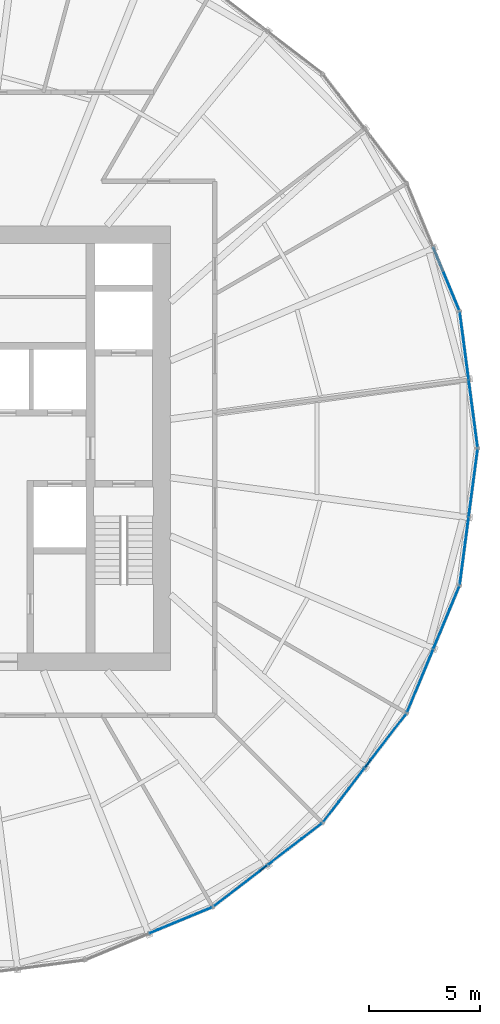
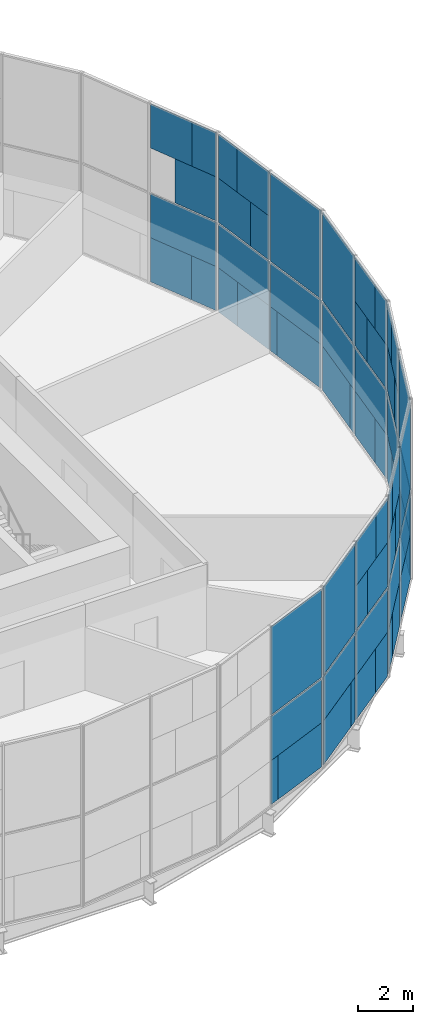
# One storey, part 12 of 18: 65 plates, 7 elements without a shape of their own.
"""IFC4 building model written with IfcOpenShell, lengths in metres."""

from ifc_helpers import new_model, si_unit, direction, frame, origin, origin_2d, place, context, subcontext, project, spatial, rectangle, extrude, material, layer, layer_set, type_object, element, aggregate, save


model = new_model("IFC4")

# Units and contexts
model_context = context("Model", 3, precision=1e-05, world=origin(), true_north=direction((0.0, 1.0)))
body_context = subcontext(model_context, "Body", "Model", "MODEL_VIEW")
ifc_project = project(units=[si_unit("LENGTHUNIT", "METRE"), si_unit("AREAUNIT", "SQUARE_METRE"), si_unit("VOLUMEUNIT", "CUBIC_METRE"), si_unit("PLANEANGLEUNIT", "RADIAN"), si_unit("MASSUNIT", "GRAM", prefix="KILO")], contexts=[model_context])

# Site, building, storey
site_placement = place(None, origin())
site = spatial("IfcSite", under=ifc_project, at=site_placement, CompositionType="ELEMENT")
building_placement = place(site_placement, origin())
building = spatial("IfcBuilding", under=site, at=building_placement, Name="Golbaran Civic Tower", CompositionType="ELEMENT")
storey_placement = place(building_placement, frame((0.0, 0.0, 61.0)))
storey = spatial("IfcBuildingStorey", under=building, at=storey_placement, Name="L14", CompositionType="ELEMENT", Elevation=61.0)

# Curtain wall, plates
ifc_material_1 = material(Name="Aluminium and glass", Category="aluminium")
curtain_wall_type = type_object("IfcCurtainWallType", Name="INNER SKIN CURTAIN WALL", PredefinedType="NOTDEFINED", material=ifc_material_1)
curtain_wall_1_placement = place(storey_placement, origin())
curtain_wall_1 = element("IfcCurtainWall", 1, at=curtain_wall_1_placement, inside=storey, type_object=curtain_wall_type, Name="Inner skin L14 facet 1 CW1", ObjectType="INNER SKIN", PredefinedType="USERDEFINED")
ifc_material_2 = material(Name="Clear insulating glass", Category="glass")
ifc_layer_1 = layer(ifc_material_2, 0.031982421875, Name="Clear insulating glass")
ifc_layer_set_1 = layer_set([ifc_layer_1], Name="Clear insulating glass")
plate_type_1 = type_object("IfcPlateType", Name="INNER SKIN CURTAIN WALL GLAZED PANEL", PredefinedType="CURTAIN_PANEL", material=ifc_layer_set_1)
plate_1_placement = place(storey_placement, frame((23.638916015625, 1.353271484375, 0.06494140625), z_axis=(0.0, 0.0, 1.0), x_axis=(-0.130526192185, 0.991444861378, 0.0)))
plate_1 = element("IfcPlate", 2, at=plate_1_placement, type_object=plate_type_1, Name="CW1 panel 1.1 part 1", PredefinedType="CURTAIN_PANEL", context=body_context, shape_type="SweptSolid", body=[
    extrude(rectangle(XDim=2.60009765625, YDim=0.031982421875, at=origin_2d()), origin(), (0.0, 0.0, 1.0), 1.951171875),
])
plate_2_placement = place(storey_placement, frame((23.612060546875, 1.55712890625, 2.016357421875), z_axis=(0.0, 0.0, 1.0), x_axis=(-0.130526192185, 0.991444861378, 0.0)))
plate_2 = element("IfcPlate", 3, at=plate_2_placement, type_object=plate_type_1, Name="CW1 panel 1.1 part 3", PredefinedType="CURTAIN_PANEL", context=body_context, shape_type="SweptSolid", body=[
    extrude(rectangle(XDim=3.01123046875, YDim=0.031982421875, at=origin_2d()), origin(), (0.0, 0.0, 1.0), 1.951171875),
])
plate_3_placement = place(storey_placement, frame((23.612060546875, 1.55712890625, 4.0322265625), z_axis=(0.0, 0.0, 1.0), x_axis=(-0.130526192185, 0.991444861378, 0.0)))
plate_3 = element("IfcPlate", 4, at=plate_3_placement, type_object=plate_type_1, Name="CW1 panel 1.2", PredefinedType="CURTAIN_PANEL", context=body_context, shape_type="SweptSolid", body=[
    extrude(rectangle(XDim=3.01123046875, YDim=0.031982421875, at=origin_2d()), origin(), (0.0, 0.0, 1.0), 3.902587890625),
])
plate_4_placement = place(storey_placement, frame((23.087646484375, 5.5400390625, 0.06494140625), z_axis=(0.0, 0.0, 1.0), x_axis=(-0.130526192185, 0.991444861378, 0.0)))
plate_4 = element("IfcPlate", 5, at=plate_4_placement, type_object=plate_type_1, Name="CW1 panel 2.1 part 2", PredefinedType="CURTAIN_PANEL", context=body_context, shape_type="SweptSolid", body=[
    extrude(rectangle(XDim=1.129150390625, YDim=0.031982421875, at=origin_2d()), origin(), (0.0, 0.0, 1.0), 1.951171875),
])
plate_5_placement = place(storey_placement, frame((23.333740234375, 3.671630859375, 4.032470703125), z_axis=(0.0, 0.0, 1.0), x_axis=(-0.130526192185, 0.991444861378, 0.0)))
plate_5 = element("IfcPlate", 6, at=plate_5_placement, type_object=plate_type_1, Name="CW1 panel 2.2 part 1", PredefinedType="CURTAIN_PANEL", context=body_context, shape_type="SweptSolid", body=[
    extrude(rectangle(XDim=1.1240234375, YDim=0.031982421875, at=origin_2d()), origin(), (0.0, 0.0, 1.0), 1.951171875),
])
plate_6_placement = place(storey_placement, frame((23.2822265625, 4.062744140625, 5.98388671875), z_axis=(0.0, 0.0, 1.0), x_axis=(-0.130526192185, 0.991444861378, 0.0)))
plate_6 = element("IfcPlate", 7, at=plate_6_placement, type_object=plate_type_1, Name="CW1 panel 2.2 part 3", PredefinedType="CURTAIN_PANEL", context=body_context, shape_type="SweptSolid", body=[
    extrude(rectangle(XDim=1.9130859375, YDim=0.031982421875, at=origin_2d()), origin(), (0.0, 0.0, 1.0), 1.951171875),
])

curtain_wall_2_placement = place(storey_placement, origin())
curtain_wall_2 = element("IfcCurtainWall", 8, at=curtain_wall_2_placement, inside=storey, type_object=curtain_wall_type, Name="Inner skin L14 facet 2 CW1", ObjectType="INNER SKIN", PredefinedType="USERDEFINED")
plate_7_placement = place(storey_placement, frame((22.7646484375, 6.745849609375, 0.06494140625), z_axis=(0.0, 0.0, 1.0), x_axis=(-0.382683432381, 0.923879532505, 0.0)))
plate_7 = element("IfcPlate", 9, at=plate_7_placement, type_object=plate_type_1, Name="CW1 panel 1.1 part 1", PredefinedType="CURTAIN_PANEL", context=body_context, shape_type="SweptSolid", body=[
    extrude(rectangle(XDim=1.12890625, YDim=0.031982421875, at=origin_2d()), origin(), (0.0, 0.0, 1.0), 1.951171875),
])
plate_8_placement = place(storey_placement, frame((22.1943359375, 8.12255859375, 5.98388671875), z_axis=(0.0, 0.0, 1.0), x_axis=(-0.382683432381, 0.923879532505, 0.0)))
plate_8 = element("IfcPlate", 10, at=plate_8_placement, type_object=plate_type_1, Name="CW1 panel 1.2 part 4", PredefinedType="CURTAIN_PANEL", context=body_context, shape_type="SweptSolid", body=[
    extrude(rectangle(XDim=1.913330078125, YDim=0.031982421875, at=origin_2d()), origin(), (0.0, 0.0, 1.0), 1.951171875),
])

curtain_wall_3_placement = place(storey_placement, origin())
curtain_wall_3 = element("IfcCurtainWall", 11, at=curtain_wall_3_placement, inside=storey, type_object=curtain_wall_type, Name="Inner skin L14 facet 20 CW1", ObjectType="INNER SKIN", PredefinedType="USERDEFINED")
plate_9_placement = place(storey_placement, frame((10.647705078125, -21.1484375, 0.06494140625), z_axis=(0.0, 0.0, 1.0), x_axis=(0.923879532505, 0.382683432381, 0.0)))
plate_9 = element("IfcPlate", 12, at=plate_9_placement, type_object=plate_type_1, Name="CW1 panel 2.1 part 2", PredefinedType="CURTAIN_PANEL", context=body_context, shape_type="SweptSolid", body=[
    extrude(rectangle(XDim=2.59912109375, YDim=0.031982421875, at=origin_2d()), origin(), (0.0, 0.0, 1.0), 1.951171875),
])
plate_10_placement = place(storey_placement, frame((10.45751953125, -21.227294921875, 2.016357421875), z_axis=(0.0, 0.0, 1.0), x_axis=(0.923879532505, 0.382683432381, 0.0)))
plate_10 = element("IfcPlate", 13, at=plate_10_placement, type_object=plate_type_1, Name="CW1 panel 2.1 part 3", PredefinedType="CURTAIN_PANEL", context=body_context, shape_type="SweptSolid", body=[
    extrude(rectangle(XDim=3.01123046875, YDim=0.031982421875, at=origin_2d()), origin(), (0.0, 0.0, 1.0), 1.951171875),
])
plate_11_placement = place(storey_placement, frame((10.45751953125, -21.227294921875, 4.0322265625), z_axis=(0.0, 0.0, 1.0), x_axis=(0.923879532505, 0.382683432381, 0.0)))
plate_11 = element("IfcPlate", 14, at=plate_11_placement, type_object=plate_type_1, Name="CW1 panel 2.2", PredefinedType="CURTAIN_PANEL", context=body_context, shape_type="SweptSolid", body=[
    extrude(rectangle(XDim=3.01123046875, YDim=0.031982421875, at=origin_2d()), origin(), (0.0, 0.0, 1.0), 3.902587890625),
])

curtain_wall_4_placement = place(storey_placement, origin())
curtain_wall_4 = element("IfcCurtainWall", 15, at=curtain_wall_4_placement, inside=storey, type_object=curtain_wall_type, Name="Inner skin L14 facet 21 CW1", ObjectType="INNER SKIN", PredefinedType="USERDEFINED")
plate_12_placement = place(storey_placement, frame((12.991455078125, -19.795166015625, 0.06494140625), z_axis=(0.0, 0.0, 1.0), x_axis=(0.793353340355, 0.608761428926, 0.0)))
plate_12 = element("IfcPlate", 16, at=plate_12_placement, type_object=plate_type_1, Name="CW1 panel 1.1 part 1", PredefinedType="CURTAIN_PANEL", context=body_context, shape_type="SweptSolid", body=[
    extrude(rectangle(XDim=2.60009765625, YDim=0.031982421875, at=origin_2d()), origin(), (0.0, 0.0, 1.0), 1.951171875),
])
plate_13_placement = place(storey_placement, frame((13.154541015625, -19.669921875, 2.016357421875), z_axis=(0.0, 0.0, 1.0), x_axis=(0.793353340355, 0.608761428926, 0.0)))
plate_13 = element("IfcPlate", 17, at=plate_13_placement, type_object=plate_type_1, Name="CW1 panel 1.1 part 3", PredefinedType="CURTAIN_PANEL", context=body_context, shape_type="SweptSolid", body=[
    extrude(rectangle(XDim=3.01123046875, YDim=0.031982421875, at=origin_2d()), origin(), (0.0, 0.0, 1.0), 1.951171875),
])
plate_14_placement = place(storey_placement, frame((13.154541015625, -19.669921875, 4.0322265625), z_axis=(0.0, 0.0, 1.0), x_axis=(0.793353340355, 0.608761428926, 0.0)))
plate_14 = element("IfcPlate", 18, at=plate_14_placement, type_object=plate_type_1, Name="CW1 panel 1.2", PredefinedType="CURTAIN_PANEL", context=body_context, shape_type="SweptSolid", body=[
    extrude(rectangle(XDim=3.01123046875, YDim=0.031982421875, at=origin_2d()), origin(), (0.0, 0.0, 1.0), 3.902587890625),
])
plate_15_placement = place(storey_placement, frame((16.341552734375, -17.224365234375, 0.06494140625), z_axis=(0.0, 0.0, 1.0), x_axis=(0.793353340355, 0.608761428926, 0.0)))
plate_15 = element("IfcPlate", 19, at=plate_15_placement, type_object=plate_type_1, Name="CW1 panel 2.1 part 2", PredefinedType="CURTAIN_PANEL", context=body_context, shape_type="SweptSolid", body=[
    extrude(rectangle(XDim=1.129150390625, YDim=0.031982421875, at=origin_2d()), origin(), (0.0, 0.0, 1.0), 1.951171875),
])
plate_16_placement = place(storey_placement, frame((14.846435546875, -18.371826171875, 4.032470703125), z_axis=(0.0, 0.0, 1.0), x_axis=(0.793353340355, 0.608761428926, 0.0)))
plate_16 = element("IfcPlate", 20, at=plate_16_placement, type_object=plate_type_1, Name="CW1 panel 2.2 part 1", PredefinedType="CURTAIN_PANEL", context=body_context, shape_type="SweptSolid", body=[
    extrude(rectangle(XDim=1.1240234375, YDim=0.031982421875, at=origin_2d()), origin(), (0.0, 0.0, 1.0), 1.951171875),
])
plate_17_placement = place(storey_placement, frame((15.159423828125, -18.131591796875, 5.98388671875), z_axis=(0.0, 0.0, 1.0), x_axis=(0.793353340355, 0.608761428926, 0.0)))
plate_17 = element("IfcPlate", 21, at=plate_17_placement, type_object=plate_type_1, Name="CW1 panel 2.2 part 3", PredefinedType="CURTAIN_PANEL", context=body_context, shape_type="SweptSolid", body=[
    extrude(rectangle(XDim=1.9130859375, YDim=0.031982421875, at=origin_2d()), origin(), (0.0, 0.0, 1.0), 1.951171875),
])

curtain_wall_5_placement = place(storey_placement, origin())
curtain_wall_5 = element("IfcCurtainWall", 22, at=curtain_wall_5_placement, inside=storey, type_object=curtain_wall_type, Name="Inner skin L14 facet 22 CW1", ObjectType="INNER SKIN", PredefinedType="USERDEFINED")
plate_18_placement = place(storey_placement, frame((17.224365234375, -16.341796875, 0.06494140625), z_axis=(0.0, 0.0, 1.0), x_axis=(0.608761428926, 0.793353340355, 0.0)))
plate_18 = element("IfcPlate", 23, at=plate_18_placement, type_object=plate_type_1, Name="CW1 panel 1.1 part 1", PredefinedType="CURTAIN_PANEL", context=body_context, shape_type="SweptSolid", body=[
    extrude(rectangle(XDim=1.12890625, YDim=0.031982421875, at=origin_2d()), origin(), (0.0, 0.0, 1.0), 1.951171875),
])
plate_19_placement = place(storey_placement, frame((18.37158203125, -14.8466796875, 4.032470703125), z_axis=(0.0, 0.0, 1.0), x_axis=(0.608761428926, 0.793353340355, 0.0)))
plate_19 = element("IfcPlate", 24, at=plate_19_placement, type_object=plate_type_1, Name="CW1 panel 1.2 part 2", PredefinedType="CURTAIN_PANEL", context=body_context, shape_type="SweptSolid", body=[
    extrude(rectangle(XDim=1.124267578125, YDim=0.031982421875, at=origin_2d()), origin(), (0.0, 0.0, 1.0), 1.951171875),
])
plate_20_placement = place(storey_placement, frame((18.131591796875, -15.15966796875, 5.98388671875), z_axis=(0.0, 0.0, 1.0), x_axis=(0.608761428926, 0.793353340355, 0.0)))
plate_20 = element("IfcPlate", 25, at=plate_20_placement, type_object=plate_type_1, Name="CW1 panel 1.2 part 4", PredefinedType="CURTAIN_PANEL", context=body_context, shape_type="SweptSolid", body=[
    extrude(rectangle(XDim=1.913330078125, YDim=0.031982421875, at=origin_2d()), origin(), (0.0, 0.0, 1.0), 1.951171875),
])
plate_21_placement = place(storey_placement, frame((19.79541015625, -12.9912109375, 0.06494140625), z_axis=(0.0, 0.0, 1.0), x_axis=(0.608761428926, 0.793353340355, 0.0)))
plate_21 = element("IfcPlate", 26, at=plate_21_placement, type_object=plate_type_1, Name="CW1 panel 2.1 part 2", PredefinedType="CURTAIN_PANEL", context=body_context, shape_type="SweptSolid", body=[
    extrude(rectangle(XDim=2.59912109375, YDim=0.031982421875, at=origin_2d()), origin(), (0.0, 0.0, 1.0), 1.951171875),
])
plate_22_placement = place(storey_placement, frame((19.669921875, -13.154541015625, 2.016357421875), z_axis=(0.0, 0.0, 1.0), x_axis=(0.608761428926, 0.793353340355, 0.0)))
plate_22 = element("IfcPlate", 27, at=plate_22_placement, type_object=plate_type_1, Name="CW1 panel 2.1 part 3", PredefinedType="CURTAIN_PANEL", context=body_context, shape_type="SweptSolid", body=[
    extrude(rectangle(XDim=3.01123046875, YDim=0.031982421875, at=origin_2d()), origin(), (0.0, 0.0, 1.0), 1.951171875),
])
plate_23_placement = place(storey_placement, frame((19.669921875, -13.154541015625, 4.0322265625), z_axis=(0.0, 0.0, 1.0), x_axis=(0.608761428926, 0.793353340355, 0.0)))
plate_23 = element("IfcPlate", 28, at=plate_23_placement, type_object=plate_type_1, Name="CW1 panel 2.2", PredefinedType="CURTAIN_PANEL", context=body_context, shape_type="SweptSolid", body=[
    extrude(rectangle(XDim=3.01123046875, YDim=0.031982421875, at=origin_2d()), origin(), (0.0, 0.0, 1.0), 3.902587890625),
])

curtain_wall_6_placement = place(storey_placement, origin())
curtain_wall_6 = element("IfcCurtainWall", 29, at=curtain_wall_6_placement, inside=storey, type_object=curtain_wall_type, Name="Inner skin L14 facet 23 CW1", ObjectType="INNER SKIN", PredefinedType="USERDEFINED")
plate_24_placement = place(storey_placement, frame((21.1484375, -10.6474609375, 0.06494140625), z_axis=(0.0, 0.0, 1.0), x_axis=(0.382683432381, 0.923879532505, 0.0)))
plate_24 = element("IfcPlate", 30, at=plate_24_placement, type_object=plate_type_1, Name="CW1 panel 1.1 part 1", PredefinedType="CURTAIN_PANEL", context=body_context, shape_type="SweptSolid", body=[
    extrude(rectangle(XDim=2.60009765625, YDim=0.031982421875, at=origin_2d()), origin(), (0.0, 0.0, 1.0), 1.951171875),
])
plate_25_placement = place(storey_placement, frame((21.227294921875, -10.45751953125, 2.016357421875), z_axis=(0.0, 0.0, 1.0), x_axis=(0.382683432381, 0.923879532505, 0.0)))
plate_25 = element("IfcPlate", 31, at=plate_25_placement, type_object=plate_type_1, Name="CW1 panel 1.1 part 3", PredefinedType="CURTAIN_PANEL", context=body_context, shape_type="SweptSolid", body=[
    extrude(rectangle(XDim=3.01123046875, YDim=0.031982421875, at=origin_2d()), origin(), (0.0, 0.0, 1.0), 1.951171875),
])
plate_26_placement = place(storey_placement, frame((21.227294921875, -10.45751953125, 4.0322265625), z_axis=(0.0, 0.0, 1.0), x_axis=(0.382683432381, 0.923879532505, 0.0)))
plate_26 = element("IfcPlate", 32, at=plate_26_placement, type_object=plate_type_1, Name="CW1 panel 1.2", PredefinedType="CURTAIN_PANEL", context=body_context, shape_type="SweptSolid", body=[
    extrude(rectangle(XDim=3.01123046875, YDim=0.031982421875, at=origin_2d()), origin(), (0.0, 0.0, 1.0), 3.902587890625),
])
plate_27_placement = place(storey_placement, frame((22.764404296875, -6.74609375, 0.06494140625), z_axis=(0.0, 0.0, 1.0), x_axis=(0.382683432381, 0.923879532505, 0.0)))
plate_27 = element("IfcPlate", 33, at=plate_27_placement, type_object=plate_type_1, Name="CW1 panel 2.1 part 2", PredefinedType="CURTAIN_PANEL", context=body_context, shape_type="SweptSolid", body=[
    extrude(rectangle(XDim=1.129150390625, YDim=0.031982421875, at=origin_2d()), origin(), (0.0, 0.0, 1.0), 1.951171875),
])
plate_28_placement = place(storey_placement, frame((22.043212890625, -8.487060546875, 4.032470703125), z_axis=(0.0, 0.0, 1.0), x_axis=(0.382683432381, 0.923879532505, 0.0)))
plate_28 = element("IfcPlate", 34, at=plate_28_placement, type_object=plate_type_1, Name="CW1 panel 2.2 part 1", PredefinedType="CURTAIN_PANEL", context=body_context, shape_type="SweptSolid", body=[
    extrude(rectangle(XDim=1.1240234375, YDim=0.031982421875, at=origin_2d()), origin(), (0.0, 0.0, 1.0), 1.951171875),
])
plate_29_placement = place(storey_placement, frame((22.1943359375, -8.12255859375, 5.98388671875), z_axis=(0.0, 0.0, 1.0), x_axis=(0.382683432381, 0.923879532505, 0.0)))
plate_29 = element("IfcPlate", 35, at=plate_29_placement, type_object=plate_type_1, Name="CW1 panel 2.2 part 3", PredefinedType="CURTAIN_PANEL", context=body_context, shape_type="SweptSolid", body=[
    extrude(rectangle(XDim=1.9130859375, YDim=0.031982421875, at=origin_2d()), origin(), (0.0, 0.0, 1.0), 1.951171875),
])

curtain_wall_7_placement = place(storey_placement, origin())
curtain_wall_7 = element("IfcCurtainWall", 36, at=curtain_wall_7_placement, inside=storey, type_object=curtain_wall_type, Name="Inner skin L14 facet 24 CW1", ObjectType="INNER SKIN", PredefinedType="USERDEFINED")
plate_30_placement = place(storey_placement, frame((23.087646484375, -5.540283203125, 0.06494140625), z_axis=(0.0, 0.0, 1.0), x_axis=(0.130526192185, 0.991444861378, 0.0)))
plate_30 = element("IfcPlate", 37, at=plate_30_placement, type_object=plate_type_1, Name="CW1 panel 1.1 part 1", PredefinedType="CURTAIN_PANEL", context=body_context, shape_type="SweptSolid", body=[
    extrude(rectangle(XDim=1.12890625, YDim=0.031982421875, at=origin_2d()), origin(), (0.0, 0.0, 1.0), 1.951171875),
])
plate_31_placement = place(storey_placement, frame((23.33349609375, -3.671630859375, 4.032470703125), z_axis=(0.0, 0.0, 1.0), x_axis=(0.130526192185, 0.991444861378, 0.0)))
plate_31 = element("IfcPlate", 38, at=plate_31_placement, type_object=plate_type_1, Name="CW1 panel 1.2 part 2", PredefinedType="CURTAIN_PANEL", context=body_context, shape_type="SweptSolid", body=[
    extrude(rectangle(XDim=1.124267578125, YDim=0.031982421875, at=origin_2d()), origin(), (0.0, 0.0, 1.0), 1.951171875),
])
plate_32_placement = place(storey_placement, frame((23.2822265625, -4.062744140625, 5.98388671875), z_axis=(0.0, 0.0, 1.0), x_axis=(0.130526192185, 0.991444861378, 0.0)))
plate_32 = element("IfcPlate", 39, at=plate_32_placement, type_object=plate_type_1, Name="CW1 panel 1.2 part 4", PredefinedType="CURTAIN_PANEL", context=body_context, shape_type="SweptSolid", body=[
    extrude(rectangle(XDim=1.913330078125, YDim=0.031982421875, at=origin_2d()), origin(), (0.0, 0.0, 1.0), 1.951171875),
])
plate_33_placement = place(storey_placement, frame((23.638916015625, -1.35302734375, 0.06494140625), z_axis=(0.0, 0.0, 1.0), x_axis=(0.130526192185, 0.991444861378, 0.0)))
plate_33 = element("IfcPlate", 40, at=plate_33_placement, type_object=plate_type_1, Name="CW1 panel 2.1 part 2", PredefinedType="CURTAIN_PANEL", context=body_context, shape_type="SweptSolid", body=[
    extrude(rectangle(XDim=2.59912109375, YDim=0.031982421875, at=origin_2d()), origin(), (0.0, 0.0, 1.0), 1.951171875),
])
plate_34_placement = place(storey_placement, frame((23.612060546875, -1.55712890625, 2.016357421875), z_axis=(0.0, 0.0, 1.0), x_axis=(0.130526192185, 0.991444861378, 0.0)))
plate_34 = element("IfcPlate", 41, at=plate_34_placement, type_object=plate_type_1, Name="CW1 panel 2.1 part 3", PredefinedType="CURTAIN_PANEL", context=body_context, shape_type="SweptSolid", body=[
    extrude(rectangle(XDim=3.01123046875, YDim=0.031982421875, at=origin_2d()), origin(), (0.0, 0.0, 1.0), 1.951171875),
])
plate_35_placement = place(storey_placement, frame((23.612060546875, -1.55712890625, 4.0322265625), z_axis=(0.0, 0.0, 1.0), x_axis=(0.130526192185, 0.991444861378, 0.0)))
plate_35 = element("IfcPlate", 42, at=plate_35_placement, type_object=plate_type_1, Name="CW1 panel 2.2", PredefinedType="CURTAIN_PANEL", context=body_context, shape_type="SweptSolid", body=[
    extrude(rectangle(XDim=3.01123046875, YDim=0.031982421875, at=origin_2d()), origin(), (0.0, 0.0, 1.0), 3.902587890625),
])

# Plate
ifc_material_3 = material(Name="Aluminium faced opaque infill panel", Category="aluminium")
ifc_layer_2 = layer(ifc_material_3, 0.031982421875, Name="Aluminium faced opaque infill panel")
ifc_layer_set_2 = layer_set([ifc_layer_2], Name="Aluminium faced opaque infill panel")
plate_type_2 = type_object("IfcPlateType", Name="INNER SKIN CURTAIN WALL OPAQUE INFILL PANEL", PredefinedType="CURTAIN_PANEL", material=ifc_layer_set_2)
plate_36_placement = place(storey_placement, frame((23.4423828125, 2.845947265625, 0.06494140625), z_axis=(0.0, 0.0, 1.0), x_axis=(-0.130526192185, 0.991444861378, 0.0)))
plate_36 = element("IfcPlate", 43, at=plate_36_placement, type_object=plate_type_2, Name="CW1 infill panel 1.1 part 2", PredefinedType="CURTAIN_PANEL", context=body_context, shape_type="SweptSolid", body=[
    extrude(rectangle(XDim=0.4111328125, YDim=0.031982421875, at=origin_2d()), origin(), (0.0, 0.0, 1.0), 1.951171875),
])

plate_37_placement = place(storey_placement, frame((23.2841796875, 4.04736328125, 0.06494140625), z_axis=(0.0, 0.0, 1.0), x_axis=(-0.130526192185, 0.991444861378, 0.0)))
plate_37 = element("IfcPlate", 44, at=plate_37_placement, type_object=plate_type_2, Name="CW1 infill panel 2.1 part 1", PredefinedType="CURTAIN_PANEL", context=body_context, shape_type="SweptSolid", body=[
    extrude(rectangle(XDim=1.882080078125, YDim=0.031982421875, at=origin_2d()), origin(), (0.0, 0.0, 1.0), 1.951171875),
])

plate_38_placement = place(storey_placement, frame((23.21044921875, 4.607177734375, 2.016357421875), z_axis=(0.0, 0.0, 1.0), x_axis=(-0.130526192185, 0.991444861378, 0.0)))
plate_38 = element("IfcPlate", 45, at=plate_38_placement, type_object=plate_type_2, Name="CW1 infill panel 2.1 part 3", PredefinedType="CURTAIN_PANEL", context=body_context, shape_type="SweptSolid", body=[
    extrude(rectangle(XDim=3.01123046875, YDim=0.031982421875, at=origin_2d()), origin(), (0.0, 0.0, 1.0), 1.951171875),
])

plate_39_placement = place(storey_placement, frame((23.13720703125, 5.164306640625, 4.032470703125), z_axis=(0.0, 0.0, 1.0), x_axis=(-0.130526192185, 0.991444861378, 0.0)))
plate_39 = element("IfcPlate", 46, at=plate_39_placement, type_object=plate_type_2, Name="CW1 infill panel 2.2 part 2", PredefinedType="CURTAIN_PANEL", context=body_context, shape_type="SweptSolid", body=[
    extrude(rectangle(XDim=1.88720703125, YDim=0.031982421875, at=origin_2d()), origin(), (0.0, 0.0, 1.0), 1.951171875),
])

plate_40_placement = place(storey_placement, frame((23.085693359375, 5.555419921875, 5.98388671875), z_axis=(0.0, 0.0, 1.0), x_axis=(-0.130526192185, 0.991444861378, 0.0)))
plate_40 = element("IfcPlate", 47, at=plate_40_placement, type_object=plate_type_2, Name="CW1 infill panel 2.2 part 4", PredefinedType="CURTAIN_PANEL", context=body_context, shape_type="SweptSolid", body=[
    extrude(rectangle(XDim=1.09814453125, YDim=0.031982421875, at=origin_2d()), origin(), (0.0, 0.0, 1.0), 1.951171875),
])

aggregate(curtain_wall_1, [plate_1, plate_36, plate_2, plate_3, plate_37, plate_4, plate_38, plate_5, plate_39, plate_6, plate_40])

plate_41_placement = place(storey_placement, frame((22.1884765625, 8.136962890625, 0.06494140625), z_axis=(0.0, 0.0, 1.0), x_axis=(-0.382683432381, 0.923879532505, 0.0)))
plate_41 = element("IfcPlate", 48, at=plate_41_placement, type_object=plate_type_2, Name="CW1 infill panel 1.1 part 2", PredefinedType="CURTAIN_PANEL", context=body_context, shape_type="SweptSolid", body=[
    extrude(rectangle(XDim=1.88232421875, YDim=0.031982421875, at=origin_2d()), origin(), (0.0, 0.0, 1.0), 1.951171875),
])

plate_42_placement = place(storey_placement, frame((22.404296875, 7.615478515625, 2.016357421875), z_axis=(0.0, 0.0, 1.0), x_axis=(-0.382683432381, 0.923879532505, 0.0)))
plate_42 = element("IfcPlate", 49, at=plate_42_placement, type_object=plate_type_2, Name="CW1 infill panel 1.1 part 3", PredefinedType="CURTAIN_PANEL", context=body_context, shape_type="SweptSolid", body=[
    extrude(rectangle(XDim=3.01123046875, YDim=0.031982421875, at=origin_2d()), origin(), (0.0, 0.0, 1.0), 1.951171875),
])

plate_43_placement = place(storey_placement, frame((22.61962890625, 7.095947265625, 4.032470703125), z_axis=(0.0, 0.0, 1.0), x_axis=(-0.382683432381, 0.923879532505, 0.0)))
plate_43 = element("IfcPlate", 50, at=plate_43_placement, type_object=plate_type_2, Name="CW1 infill panel 1.2 part 1", PredefinedType="CURTAIN_PANEL", context=body_context, shape_type="SweptSolid", body=[
    extrude(rectangle(XDim=1.886962890625, YDim=0.031982421875, at=origin_2d()), origin(), (0.0, 0.0, 1.0), 1.951171875),
])

plate_44_placement = place(storey_placement, frame((22.7705078125, 6.7314453125, 5.98388671875), z_axis=(0.0, 0.0, 1.0), x_axis=(-0.382683432381, 0.923879532505, 0.0)))
plate_44 = element("IfcPlate", 51, at=plate_44_placement, type_object=plate_type_2, Name="CW1 infill panel 1.2 part 3", PredefinedType="CURTAIN_PANEL", context=body_context, shape_type="SweptSolid", body=[
    extrude(rectangle(XDim=1.097900390625, YDim=0.031982421875, at=origin_2d()), origin(), (0.0, 0.0, 1.0), 1.951171875),
])

aggregate(curtain_wall_2, [plate_7, plate_41, plate_42, plate_43, plate_44, plate_8])

plate_45_placement = place(storey_placement, frame((9.2568359375, -21.724609375, 0.06494140625), z_axis=(0.0, 0.0, 1.0), x_axis=(0.923879532505, 0.382683432381, 0.0)))
plate_45 = element("IfcPlate", 52, at=plate_45_placement, type_object=plate_type_2, Name="CW1 infill panel 2.1 part 1", PredefinedType="CURTAIN_PANEL", context=body_context, shape_type="SweptSolid", body=[
    extrude(rectangle(XDim=0.412109375, YDim=0.031982421875, at=origin_2d()), origin(), (0.0, 0.0, 1.0), 1.951171875),
])

aggregate(curtain_wall_3, [plate_45, plate_9, plate_10, plate_11])

plate_46_placement = place(storey_placement, frame((14.18603515625, -18.878662109375, 0.06494140625), z_axis=(0.0, 0.0, 1.0), x_axis=(0.793353340355, 0.608761428926, 0.0)))
plate_46 = element("IfcPlate", 53, at=plate_46_placement, type_object=plate_type_2, Name="CW1 infill panel 1.1 part 2", PredefinedType="CURTAIN_PANEL", context=body_context, shape_type="SweptSolid", body=[
    extrude(rectangle(XDim=0.4111328125, YDim=0.031982421875, at=origin_2d()), origin(), (0.0, 0.0, 1.0), 1.951171875),
])

plate_47_placement = place(storey_placement, frame((15.147216796875, -18.14111328125, 0.06494140625), z_axis=(0.0, 0.0, 1.0), x_axis=(0.793353340355, 0.608761428926, 0.0)))
plate_47 = element("IfcPlate", 54, at=plate_47_placement, type_object=plate_type_2, Name="CW1 infill panel 2.1 part 1", PredefinedType="CURTAIN_PANEL", context=body_context, shape_type="SweptSolid", body=[
    extrude(rectangle(XDim=1.882080078125, YDim=0.031982421875, at=origin_2d()), origin(), (0.0, 0.0, 1.0), 1.951171875),
])

plate_48_placement = place(storey_placement, frame((15.59521484375, -17.79736328125, 2.016357421875), z_axis=(0.0, 0.0, 1.0), x_axis=(0.793353340355, 0.608761428926, 0.0)))
plate_48 = element("IfcPlate", 55, at=plate_48_placement, type_object=plate_type_2, Name="CW1 infill panel 2.1 part 3", PredefinedType="CURTAIN_PANEL", context=body_context, shape_type="SweptSolid", body=[
    extrude(rectangle(XDim=3.01123046875, YDim=0.031982421875, at=origin_2d()), origin(), (0.0, 0.0, 1.0), 1.951171875),
])

plate_49_placement = place(storey_placement, frame((16.041015625, -17.455078125, 4.032470703125), z_axis=(0.0, 0.0, 1.0), x_axis=(0.793353340355, 0.608761428926, 0.0)))
plate_49 = element("IfcPlate", 56, at=plate_49_placement, type_object=plate_type_2, Name="CW1 infill panel 2.2 part 2", PredefinedType="CURTAIN_PANEL", context=body_context, shape_type="SweptSolid", body=[
    extrude(rectangle(XDim=1.88720703125, YDim=0.031982421875, at=origin_2d()), origin(), (0.0, 0.0, 1.0), 1.951171875),
])

plate_50_placement = place(storey_placement, frame((16.35400390625, -17.215087890625, 5.98388671875), z_axis=(0.0, 0.0, 1.0), x_axis=(0.793353340355, 0.608761428926, 0.0)))
plate_50 = element("IfcPlate", 57, at=plate_50_placement, type_object=plate_type_2, Name="CW1 infill panel 2.2 part 4", PredefinedType="CURTAIN_PANEL", context=body_context, shape_type="SweptSolid", body=[
    extrude(rectangle(XDim=1.09814453125, YDim=0.031982421875, at=origin_2d()), origin(), (0.0, 0.0, 1.0), 1.951171875),
])

aggregate(curtain_wall_4, [plate_12, plate_46, plate_13, plate_14, plate_47, plate_15, plate_48, plate_16, plate_49, plate_17, plate_50])

plate_51_placement = place(storey_placement, frame((18.140869140625, -15.147216796875, 0.06494140625), z_axis=(0.0, 0.0, 1.0), x_axis=(0.608761428926, 0.793353340355, 0.0)))
plate_51 = element("IfcPlate", 58, at=plate_51_placement, type_object=plate_type_2, Name="CW1 infill panel 1.1 part 2", PredefinedType="CURTAIN_PANEL", context=body_context, shape_type="SweptSolid", body=[
    extrude(rectangle(XDim=1.88232421875, YDim=0.031982421875, at=origin_2d()), origin(), (0.0, 0.0, 1.0), 1.951171875),
])

plate_52_placement = place(storey_placement, frame((17.79736328125, -15.59521484375, 2.016357421875), z_axis=(0.0, 0.0, 1.0), x_axis=(0.608761428926, 0.793353340355, 0.0)))
plate_52 = element("IfcPlate", 59, at=plate_52_placement, type_object=plate_type_2, Name="CW1 infill panel 1.1 part 3", PredefinedType="CURTAIN_PANEL", context=body_context, shape_type="SweptSolid", body=[
    extrude(rectangle(XDim=3.01123046875, YDim=0.031982421875, at=origin_2d()), origin(), (0.0, 0.0, 1.0), 1.951171875),
])

plate_53_placement = place(storey_placement, frame((17.455078125, -16.041015625, 4.032470703125), z_axis=(0.0, 0.0, 1.0), x_axis=(0.608761428926, 0.793353340355, 0.0)))
plate_53 = element("IfcPlate", 60, at=plate_53_placement, type_object=plate_type_2, Name="CW1 infill panel 1.2 part 1", PredefinedType="CURTAIN_PANEL", context=body_context, shape_type="SweptSolid", body=[
    extrude(rectangle(XDim=1.886962890625, YDim=0.031982421875, at=origin_2d()), origin(), (0.0, 0.0, 1.0), 1.951171875),
])

plate_54_placement = place(storey_placement, frame((17.21484375, -16.35400390625, 5.98388671875), z_axis=(0.0, 0.0, 1.0), x_axis=(0.608761428926, 0.793353340355, 0.0)))
plate_54 = element("IfcPlate", 61, at=plate_54_placement, type_object=plate_type_2, Name="CW1 infill panel 1.2 part 3", PredefinedType="CURTAIN_PANEL", context=body_context, shape_type="SweptSolid", body=[
    extrude(rectangle(XDim=1.097900390625, YDim=0.031982421875, at=origin_2d()), origin(), (0.0, 0.0, 1.0), 1.951171875),
])

plate_55_placement = place(storey_placement, frame((18.87890625, -14.185546875, 0.06494140625), z_axis=(0.0, 0.0, 1.0), x_axis=(0.608761428926, 0.793353340355, 0.0)))
plate_55 = element("IfcPlate", 62, at=plate_55_placement, type_object=plate_type_2, Name="CW1 infill panel 2.1 part 1", PredefinedType="CURTAIN_PANEL", context=body_context, shape_type="SweptSolid", body=[
    extrude(rectangle(XDim=0.412109375, YDim=0.031982421875, at=origin_2d()), origin(), (0.0, 0.0, 1.0), 1.951171875),
])

aggregate(curtain_wall_5, [plate_18, plate_51, plate_52, plate_53, plate_19, plate_54, plate_20, plate_55, plate_21, plate_22, plate_23])

plate_56_placement = place(storey_placement, frame((21.724609375, -9.25634765625, 0.06494140625), z_axis=(0.0, 0.0, 1.0), x_axis=(0.382683432381, 0.923879532505, 0.0)))
plate_56 = element("IfcPlate", 63, at=plate_56_placement, type_object=plate_type_2, Name="CW1 infill panel 1.1 part 2", PredefinedType="CURTAIN_PANEL", context=body_context, shape_type="SweptSolid", body=[
    extrude(rectangle(XDim=0.4111328125, YDim=0.031982421875, at=origin_2d()), origin(), (0.0, 0.0, 1.0), 1.951171875),
])

plate_57_placement = place(storey_placement, frame((22.188232421875, -8.136962890625, 0.06494140625), z_axis=(0.0, 0.0, 1.0), x_axis=(0.382683432381, 0.923879532505, 0.0)))
plate_57 = element("IfcPlate", 64, at=plate_57_placement, type_object=plate_type_2, Name="CW1 infill panel 2.1 part 1", PredefinedType="CURTAIN_PANEL", context=body_context, shape_type="SweptSolid", body=[
    extrude(rectangle(XDim=1.882080078125, YDim=0.031982421875, at=origin_2d()), origin(), (0.0, 0.0, 1.0), 1.951171875),
])

plate_58_placement = place(storey_placement, frame((22.404296875, -7.615478515625, 2.016357421875), z_axis=(0.0, 0.0, 1.0), x_axis=(0.382683432381, 0.923879532505, 0.0)))
plate_58 = element("IfcPlate", 65, at=plate_58_placement, type_object=plate_type_2, Name="CW1 infill panel 2.1 part 3", PredefinedType="CURTAIN_PANEL", context=body_context, shape_type="SweptSolid", body=[
    extrude(rectangle(XDim=3.01123046875, YDim=0.031982421875, at=origin_2d()), origin(), (0.0, 0.0, 1.0), 1.951171875),
])

plate_59_placement = place(storey_placement, frame((22.619384765625, -7.09619140625, 4.032470703125), z_axis=(0.0, 0.0, 1.0), x_axis=(0.382683432381, 0.923879532505, 0.0)))
plate_59 = element("IfcPlate", 66, at=plate_59_placement, type_object=plate_type_2, Name="CW1 infill panel 2.2 part 2", PredefinedType="CURTAIN_PANEL", context=body_context, shape_type="SweptSolid", body=[
    extrude(rectangle(XDim=1.88720703125, YDim=0.031982421875, at=origin_2d()), origin(), (0.0, 0.0, 1.0), 1.951171875),
])

plate_60_placement = place(storey_placement, frame((22.7705078125, -6.731689453125, 5.98388671875), z_axis=(0.0, 0.0, 1.0), x_axis=(0.382683432381, 0.923879532505, 0.0)))
plate_60 = element("IfcPlate", 67, at=plate_60_placement, type_object=plate_type_2, Name="CW1 infill panel 2.2 part 4", PredefinedType="CURTAIN_PANEL", context=body_context, shape_type="SweptSolid", body=[
    extrude(rectangle(XDim=1.09814453125, YDim=0.031982421875, at=origin_2d()), origin(), (0.0, 0.0, 1.0), 1.951171875),
])

aggregate(curtain_wall_6, [plate_24, plate_56, plate_25, plate_26, plate_57, plate_27, plate_58, plate_28, plate_59, plate_29, plate_60])

plate_61_placement = place(storey_placement, frame((23.2841796875, -4.04736328125, 0.06494140625), z_axis=(0.0, 0.0, 1.0), x_axis=(0.130526192185, 0.991444861378, 0.0)))
plate_61 = element("IfcPlate", 68, at=plate_61_placement, type_object=plate_type_2, Name="CW1 infill panel 1.1 part 2", PredefinedType="CURTAIN_PANEL", context=body_context, shape_type="SweptSolid", body=[
    extrude(rectangle(XDim=1.88232421875, YDim=0.031982421875, at=origin_2d()), origin(), (0.0, 0.0, 1.0), 1.951171875),
])

plate_62_placement = place(storey_placement, frame((23.21044921875, -4.607177734375, 2.016357421875), z_axis=(0.0, 0.0, 1.0), x_axis=(0.130526192185, 0.991444861378, 0.0)))
plate_62 = element("IfcPlate", 69, at=plate_62_placement, type_object=plate_type_2, Name="CW1 infill panel 1.1 part 3", PredefinedType="CURTAIN_PANEL", context=body_context, shape_type="SweptSolid", body=[
    extrude(rectangle(XDim=3.01123046875, YDim=0.031982421875, at=origin_2d()), origin(), (0.0, 0.0, 1.0), 1.951171875),
])

plate_63_placement = place(storey_placement, frame((23.13720703125, -5.164306640625, 4.032470703125), z_axis=(0.0, 0.0, 1.0), x_axis=(0.130526192185, 0.991444861378, 0.0)))
plate_63 = element("IfcPlate", 70, at=plate_63_placement, type_object=plate_type_2, Name="CW1 infill panel 1.2 part 1", PredefinedType="CURTAIN_PANEL", context=body_context, shape_type="SweptSolid", body=[
    extrude(rectangle(XDim=1.886962890625, YDim=0.031982421875, at=origin_2d()), origin(), (0.0, 0.0, 1.0), 1.951171875),
])

plate_64_placement = place(storey_placement, frame((23.085693359375, -5.5556640625, 5.98388671875), z_axis=(0.0, 0.0, 1.0), x_axis=(0.130526192185, 0.991444861378, 0.0)))
plate_64 = element("IfcPlate", 71, at=plate_64_placement, type_object=plate_type_2, Name="CW1 infill panel 1.2 part 3", PredefinedType="CURTAIN_PANEL", context=body_context, shape_type="SweptSolid", body=[
    extrude(rectangle(XDim=1.097900390625, YDim=0.031982421875, at=origin_2d()), origin(), (0.0, 0.0, 1.0), 1.951171875),
])

plate_65_placement = place(storey_placement, frame((23.4423828125, -2.845703125, 0.06494140625), z_axis=(0.0, 0.0, 1.0), x_axis=(0.130526192185, 0.991444861378, 0.0)))
plate_65 = element("IfcPlate", 72, at=plate_65_placement, type_object=plate_type_2, Name="CW1 infill panel 2.1 part 1", PredefinedType="CURTAIN_PANEL", context=body_context, shape_type="SweptSolid", body=[
    extrude(rectangle(XDim=0.412109375, YDim=0.031982421875, at=origin_2d()), origin(), (0.0, 0.0, 1.0), 1.951171875),
])

aggregate(curtain_wall_7, [plate_30, plate_61, plate_62, plate_63, plate_31, plate_64, plate_32, plate_65, plate_33, plate_34, plate_35])

save(model, "model.ifc")
